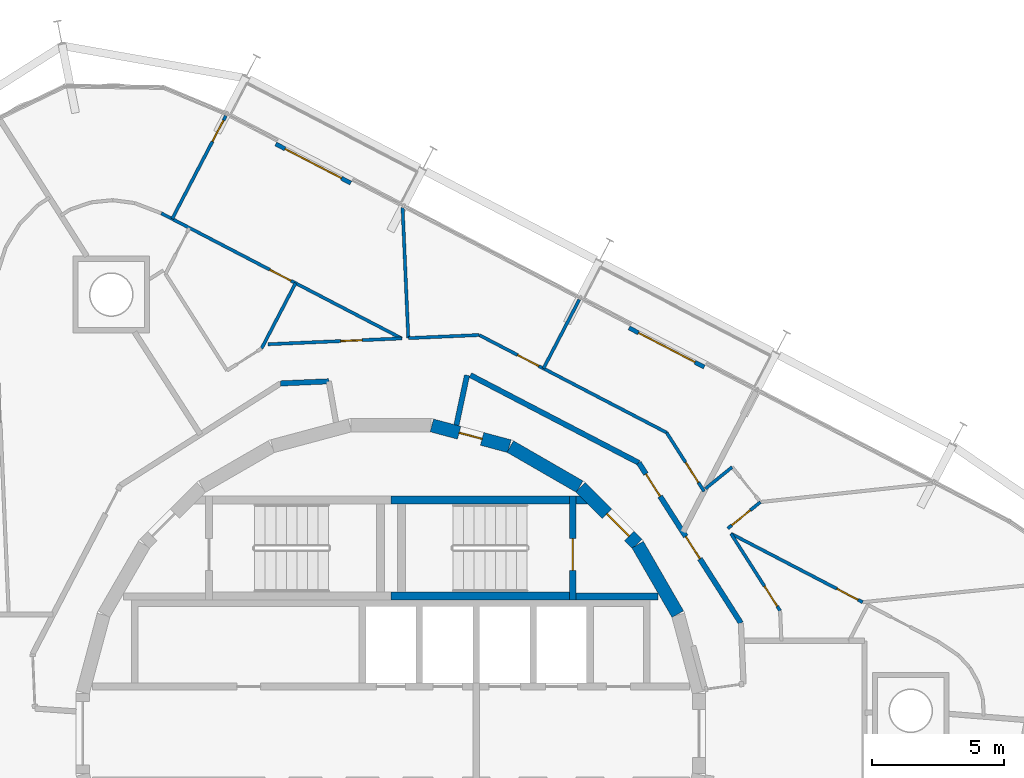
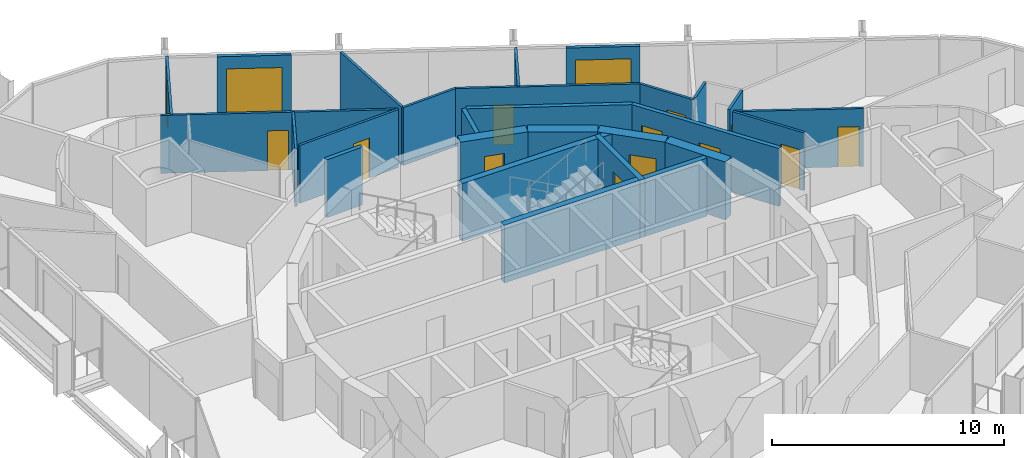
# One storey, part 16 of 18: 28 walls, 15 doors, 15 openings.
"""IFC4 building model written with IfcOpenShell, lengths in metres."""

from ifc_helpers import new_model, si_unit, direction, frame, frame_2d, origin, place, context, subcontext, project, spatial, polyline, rectangle, outline, extrude, material, layer, layer_set, type_object, element, fill, save


model = new_model("IFC4")

# Units and contexts
model_context = context("Model", 3, precision=1e-05, world=origin(), true_north=direction((0.0, 1.0)))
body_context = subcontext(model_context, "Body", "Model", "MODEL_VIEW")
ifc_project = project(units=[si_unit("LENGTHUNIT", "METRE"), si_unit("AREAUNIT", "SQUARE_METRE"), si_unit("VOLUMEUNIT", "CUBIC_METRE"), si_unit("PLANEANGLEUNIT", "RADIAN"), si_unit("MASSUNIT", "GRAM", prefix="KILO")], contexts=[model_context])

# Site, building, storey
site_placement = place(None, origin())
site = spatial("IfcSite", under=ifc_project, at=site_placement, CompositionType="ELEMENT")
building_placement = place(site_placement, origin())
building = spatial("IfcBuilding", under=site, at=building_placement, Name="Spindle Arch Residences", CompositionType="ELEMENT")
storey_placement = place(building_placement, frame((0.0, 0.0, 254.699951171875)))
storey = spatial("IfcBuildingStorey", under=building, at=storey_placement, Name="L65", CompositionType="ELEMENT", Elevation=254.699951171875)

# Wall
ifc_material_1 = material(Name="Concrete C50/60", Category="concrete")
ifc_layer_1 = layer(ifc_material_1, 0.5)
ifc_layer_set_1 = layer_set([ifc_layer_1], Name="Core outline wall 500")
wall_type_1 = type_object("IfcWallType", Name="Core outline wall 500", PredefinedType="SHEAR", material=ifc_layer_set_1)
wall_1_placement = place(storey_placement, frame((10.84521484375, 4.510498046875, 0.0), z_axis=(0.0, 0.0, 1.0), x_axis=(-0.500087131594, 0.865975092491, 0.0)))
element("IfcWall", 1, at=wall_1_placement, inside=storey, type_object=wall_type_1, Name="Core outline wall 8", PredefinedType="SHEAR", context=body_context, shape_type="SweptSolid", body=[
    extrude(rectangle(XDim=3.03271484375, YDim=0.5, at=frame_2d((1.516357421875, 0.0))), origin(), (0.0, 0.0, 1.0), 3.050048828125),
])

# Wall, opening, door
wall_2_placement = place(storey_placement, frame((9.30810546875, 7.163818359375, 0.0), z_axis=(0.0, 0.0, 1.0), x_axis=(-0.707106781187, 0.707106781187, 0.0)))
wall_2 = element("IfcWall", 2, at=wall_2_placement, inside=storey, type_object=wall_type_1, Name="Core outline wall 9", PredefinedType="SHEAR", context=body_context, shape_type="SweptSolid", body=[
    extrude(rectangle(XDim=3.032470703125, YDim=0.5, at=frame_2d((1.51611328125, 0.0))), origin(), (0.0, 0.0, 1.0), 3.050048828125),
])
opening_1_placement = place(wall_2_placement, frame((0.416259765625, 0.0, 0.0)))
opening_1 = element("IfcOpeningElement", 3, at=opening_1_placement, cuts=wall_2, Name="Opening R6C0-AD01", PredefinedType="OPENING", context=body_context, shape_type="SweptSolid", body=[
    extrude(rectangle(XDim=1.199951171875, YDim=2.10009765625, at=frame_2d((0.60009765625, 1.050048828125))), frame((0.0, 0.260009765625, 0.0), z_axis=(0.0, -1.0, 0.0), x_axis=(1.0, 0.0, 0.0)), (0.0, 0.0, 1.0), 0.52001953125),
])
ifc_material_2 = material(Name="Steel, fire-resisting door", Category="steel")
door_type_1 = type_object("IfcDoorType", Name="Stair airlock door 1200x2100", OperationType="SINGLE_SWING_LEFT", PredefinedType="DOOR", material=ifc_material_2)
door_1_placement = place(opening_1_placement, origin())
door_1 = element("IfcDoor", 4, at=door_1_placement, inside=storey, type_object=door_type_1, Name="Stair airlock door R6C0-AD01", OperationType="SINGLE_SWING_RIGHT", OverallHeight=2.10009765625, OverallWidth=1.199951171875, PredefinedType="DOOR", context=body_context, shape_type="SweptSolid", body=[
    extrude(rectangle(XDim=1.199951171875, YDim=2.10009765625, at=frame_2d((0.60009765625, 1.050048828125))), frame((0.0, 0.02490234375, 0.0), z_axis=(0.0, -1.0, 0.0), x_axis=(1.0, 0.0, 0.0)), (0.0, 0.0, 1.0), 0.050048828125),
])
fill(opening_1, door_1)

# Wall
wall_3_placement = place(storey_placement, frame((7.13671875, 9.32861328125, 0.0), z_axis=(0.0, 0.0, 1.0), x_axis=(-0.865975092491, 0.500087131594, 0.0)))
element("IfcWall", 5, at=wall_3_placement, inside=storey, type_object=wall_type_1, Name="Core outline wall 10", PredefinedType="SHEAR", context=body_context, shape_type="SweptSolid", body=[
    extrude(rectangle(XDim=3.03271484375, YDim=0.5, at=frame_2d((1.516357421875, 0.0))), origin(), (0.0, 0.0, 1.0), 3.050048828125),
])

# Wall, opening, door
wall_4_placement = place(storey_placement, frame((4.479248046875, 10.858154296875, 0.0), z_axis=(0.0, 0.0, 1.0), x_axis=(-0.965948410781, 0.258734743916, 0.0)))
wall_4 = element("IfcWall", 6, at=wall_4_placement, inside=storey, type_object=wall_type_1, Name="Core outline wall 11", PredefinedType="SHEAR", context=body_context, shape_type="SweptSolid", body=[
    extrude(rectangle(XDim=3.03271484375, YDim=0.5, at=frame_2d((1.516357421875, 0.0))), origin(), (0.0, 0.0, 1.0), 3.050048828125),
])
opening_2_placement = place(wall_4_placement, frame((1.066162109375, 0.0, 0.0)))
opening_2 = element("IfcOpeningElement", 7, at=opening_2_placement, cuts=wall_4, Name="Opening R6C0-WD11", PredefinedType="OPENING", context=body_context, shape_type="SweptSolid", body=[
    extrude(rectangle(XDim=0.89990234375, YDim=2.10009765625, at=frame_2d((0.449951171875, 1.050048828125))), frame((0.0, 0.260009765625, 0.0), z_axis=(0.0, -1.0, 0.0), x_axis=(1.0, 0.0, 0.0)), (0.0, 0.0, 1.0), 0.52001953125),
])
ifc_material_3 = material(Name="Steel, fire-resisting door", Category="steel")
door_type_2 = type_object("IfcDoorType", Name="Service room door 900x2100", OperationType="SINGLE_SWING_LEFT", PredefinedType="DOOR", material=ifc_material_3)
door_2_placement = place(opening_2_placement, origin())
door_2 = element("IfcDoor", 8, at=door_2_placement, inside=storey, type_object=door_type_2, Name="Service room door R6C0-WD11", OperationType="SINGLE_SWING_LEFT", OverallHeight=2.10009765625, OverallWidth=0.89990234375, PredefinedType="DOOR", context=body_context, shape_type="SweptSolid", body=[
    extrude(rectangle(XDim=0.89990234375, YDim=2.10009765625, at=frame_2d((0.449951171875, 1.050048828125))), frame((0.0, 0.02490234375, 0.0), z_axis=(0.0, -1.0, 0.0), x_axis=(1.0, 0.0, 0.0)), (0.0, 0.0, 1.0), 0.050048828125),
])
fill(opening_2, door_2)

# Wall, openings, doors
ifc_material_4 = material(Name="Calcium silicate block, plastered")
ifc_layer_2 = layer(ifc_material_4, 0.199951171875)
ifc_layer_set_2 = layer_set([ifc_layer_2], Name="Corridor wall 200")
wall_type_2 = type_object("IfcWallType", Name="Corridor wall 200", PredefinedType="STANDARD", material=ifc_layer_set_2)
wall_5_placement = place(storey_placement, frame((13.230712890625, 4.171630859375, 0.0), z_axis=(0.0, 0.0, 1.0), x_axis=(-0.537304397561, 0.843388394728, 0.0)))
wall_5 = element("IfcWall", 9, at=wall_5_placement, inside=storey, type_object=wall_type_2, Name="Corridor wall R6C0-W004", PredefinedType="STANDARD", context=body_context, shape_type="SweptSolid", body=[
    extrude(rectangle(XDim=7.180908203125, YDim=0.199951171875, at=frame_2d((3.59033203125, 0.0))), origin(), (0.0, 0.0, 1.0), 3.050048828125),
])
opening_3_placement = place(wall_5_placement, frame((2.881103515625, 0.0, 0.0)))
opening_3 = element("IfcOpeningElement", 10, at=opening_3_placement, cuts=wall_5, Name="Opening R6C0-FD01", PredefinedType="OPENING", context=body_context, shape_type="SweptSolid", body=[
    extrude(rectangle(XDim=1.0, YDim=2.10009765625, at=frame_2d((0.5, 1.050048828125))), frame((0.0, 0.10986328125, 0.0), z_axis=(0.0, -1.0, 0.0), x_axis=(1.0, 0.0, 0.0)), (0.0, 0.0, 1.0), 0.219970703125),
])
opening_4_placement = place(wall_5_placement, frame((5.68115234375, 0.0, 0.0)))
opening_4 = element("IfcOpeningElement", 11, at=opening_4_placement, cuts=wall_5, Name="Opening R6C0-FD02", PredefinedType="OPENING", context=body_context, shape_type="SweptSolid", body=[
    extrude(rectangle(XDim=1.0, YDim=2.10009765625, at=frame_2d((0.5, 1.050048828125))), frame((0.0, 0.10986328125, 0.0), z_axis=(0.0, -1.0, 0.0), x_axis=(1.0, 0.0, 0.0)), (0.0, 0.0, 1.0), 0.219970703125),
])
ifc_material_5 = material(Name="Timber, fire-resisting door set", Category="wood")
door_type_3 = type_object("IfcDoorType", Name="Flat entrance door 1000x2100", OperationType="NOTDEFINED", PredefinedType="DOOR", material=ifc_material_5)
door_3_placement = place(opening_3_placement, origin())
door_3 = element("IfcDoor", 12, at=door_3_placement, inside=storey, type_object=door_type_3, Name="Flat entrance door R6C0-FD01", OperationType="SINGLE_SWING_LEFT", OverallHeight=2.10009765625, OverallWidth=1.0, PredefinedType="DOOR", context=body_context, shape_type="SweptSolid", body=[
    extrude(rectangle(XDim=1.0, YDim=2.10009765625, at=frame_2d((0.5, 1.050048828125))), frame((0.0, 0.02490234375, 0.0), z_axis=(0.0, -1.0, 0.0), x_axis=(1.0, 0.0, 0.0)), (0.0, 0.0, 1.0), 0.050048828125),
])
fill(opening_3, door_3)
door_4_placement = place(opening_4_placement, origin())
door_4 = element("IfcDoor", 13, at=door_4_placement, inside=storey, type_object=door_type_3, Name="Flat entrance door R6C0-FD02", OperationType="SINGLE_SWING_LEFT", OverallHeight=2.10009765625, OverallWidth=1.0, PredefinedType="DOOR", context=body_context, shape_type="SweptSolid", body=[
    extrude(rectangle(XDim=1.0, YDim=2.10009765625, at=frame_2d((0.5, 1.050048828125))), frame((0.0, 0.02490234375, 0.0), z_axis=(0.0, -1.0, 0.0), x_axis=(1.0, 0.0, 0.0)), (0.0, 0.0, 1.0), 0.050048828125),
])
fill(opening_4, door_4)

# Walls
wall_6_placement = place(storey_placement, frame((9.372314453125, 10.22802734375, 0.0), z_axis=(0.0, 0.0, 1.0), x_axis=(-0.887005184532, 0.461759464021, 0.0)))
element("IfcWall", 14, at=wall_6_placement, inside=storey, type_object=wall_type_2, Name="Corridor wall R6C0-W005", PredefinedType="STANDARD", context=body_context, shape_type="SweptSolid", body=[
    extrude(rectangle(XDim=7.18115234375, YDim=0.199951171875, at=frame_2d((3.590576171875, 0.0))), origin(), (0.0, 0.0, 1.0), 3.050048828125),
])
wall_7_placement = place(storey_placement, frame((2.877685546875, 13.538330078125, 0.0), z_axis=(0.0, 0.0, 1.0), x_axis=(-0.207893604596, -0.978151444904, 0.0)))
element("IfcWall", 15, at=wall_7_placement, inside=storey, type_object=wall_type_2, Name="Corridor wall R6C0-W006", PredefinedType="STANDARD", context=body_context, shape_type="SweptSolid", body=[
    extrude(rectangle(XDim=1.927001953125, YDim=0.199951171875, at=frame_2d((0.96337890625, 0.0))), origin(), (0.0, 0.0, 1.0), 3.050048828125),
])
wall_8_placement = place(storey_placement, frame((-2.346923828125, 13.310302734375, 0.0), z_axis=(0.0, 0.0, 1.0), x_axis=(-0.999050095671, -0.043576442492, 0.0)))
element("IfcWall", 16, at=wall_8_placement, inside=storey, type_object=wall_type_2, Name="Corridor wall R6C0-W011", PredefinedType="STANDARD", context=body_context, shape_type="SweptSolid", body=[
    extrude(rectangle(XDim=1.826416015625, YDim=0.199951171875, at=frame_2d((0.9130859375, 0.0))), origin(), (0.0, 0.0, 1.0), 3.050048828125),
])

# Wall, opening, door
ifc_material_6 = material(Name="Plasterboard on steel studs", Category="steel")
ifc_layer_3 = layer(ifc_material_6, 0.1201171875)
ifc_layer_set_3 = layer_set([ifc_layer_3], Name="Flat partition 120")
wall_type_3 = type_object("IfcWallType", Name="Flat partition 120", PredefinedType="PARTITIONING", material=ifc_layer_set_3)
wall_9_placement = place(storey_placement, frame((14.711669921875, 4.638671875, 0.0), z_axis=(0.0, 0.0, 1.0), x_axis=(-0.537287126609, 0.843399397427, 0.0)))
wall_9 = element("IfcWall", 17, at=wall_9_placement, inside=storey, type_object=wall_type_3, Name="Flat partition R6C0-W043", PredefinedType="PARTITIONING", context=body_context, shape_type="SweptSolid", body=[
    extrude(rectangle(XDim=3.453369140625, YDim=0.1201171875, at=frame_2d((1.7265625, 0.0))), origin(), (0.0, 0.0, 1.0), 3.050048828125),
])
opening_5_placement = place(wall_9_placement, frame((0.199951171875, 0.0, 0.0)))
opening_5 = element("IfcOpeningElement", 18, at=opening_5_placement, cuts=wall_9, Name="Opening R6C0-ID01", PredefinedType="OPENING", context=body_context, shape_type="SweptSolid", body=[
    extrude(rectangle(XDim=0.89990234375, YDim=2.10009765625, at=frame_2d((0.449951171875, 1.050048828125))), frame((0.0, 0.070068359375, 0.0), z_axis=(0.0, -1.0, 0.0), x_axis=(1.0, 0.0, 0.0)), (0.0, 0.0, 1.0), 0.14013671875),
])
ifc_material_7 = material(Name="Timber door set", Category="wood")
door_type_4 = type_object("IfcDoorType", Name="Room door 900x2100", OperationType="NOTDEFINED", PredefinedType="DOOR", material=ifc_material_7)
door_5_placement = place(opening_5_placement, origin())
door_5 = element("IfcDoor", 19, at=door_5_placement, inside=storey, type_object=door_type_4, Name="Room door R6C0-ID01", OperationType="SINGLE_SWING_LEFT", OverallHeight=2.10009765625, OverallWidth=0.89990234375, PredefinedType="DOOR", context=body_context, shape_type="SweptSolid", body=[
    extrude(rectangle(XDim=0.89990234375, YDim=2.10009765625, at=frame_2d((0.449951171875, 1.050048828125))), frame((0.0, 0.02490234375, 0.0), z_axis=(0.0, -1.0, 0.0), x_axis=(1.0, 0.0, 0.0)), (0.0, 0.0, 1.0), 0.050048828125),
])
fill(opening_5, door_5)

wall_10_placement = place(storey_placement, frame((12.73193359375, 7.74609375, 0.0), z_axis=(0.0, 0.0, 1.0), x_axis=(0.777187694298, 0.62926885179, 0.0)))
wall_10 = element("IfcWall", 20, at=wall_10_placement, inside=storey, type_object=wall_type_3, Name="Flat partition R6C0-W044", PredefinedType="PARTITIONING", context=body_context, shape_type="SweptSolid", body=[
    extrude(rectangle(XDim=1.591064453125, YDim=0.1201171875, at=frame_2d((0.79541015625, 0.0))), origin(), (0.0, 0.0, 1.0), 3.050048828125),
])
opening_6_placement = place(wall_10_placement, frame((0.199951171875, 0.0, 0.0)))
opening_6 = element("IfcOpeningElement", 21, at=opening_6_placement, cuts=wall_10, Name="Opening R6C0-ID02", PredefinedType="OPENING", context=body_context, shape_type="SweptSolid", body=[
    extrude(rectangle(XDim=0.89990234375, YDim=2.10009765625, at=frame_2d((0.449951171875, 1.050048828125))), frame((0.0, 0.070068359375, 0.0), z_axis=(0.0, -1.0, 0.0), x_axis=(1.0, 0.0, 0.0)), (0.0, 0.0, 1.0), 0.14013671875),
])
door_6_placement = place(opening_6_placement, origin())
door_6 = element("IfcDoor", 22, at=door_6_placement, inside=storey, type_object=door_type_4, Name="Room door R6C0-ID02", OperationType="SINGLE_SWING_RIGHT", OverallHeight=2.10009765625, OverallWidth=0.89990234375, PredefinedType="DOOR", context=body_context, shape_type="SweptSolid", body=[
    extrude(rectangle(XDim=0.89990234375, YDim=2.10009765625, at=frame_2d((0.449951171875, 1.050048828125))), frame((0.0, 0.02490234375, 0.0), z_axis=(0.0, -1.0, 0.0), x_axis=(1.0, 0.0, 0.0)), (0.0, 0.0, 1.0), 0.050048828125),
])
fill(opening_6, door_6)

# Wall
wall_11_placement = place(storey_placement, frame((12.8984375, 10.068603515625, 0.0), z_axis=(0.0, 0.0, 1.0), x_axis=(-0.777069405334, -0.629414918232, 0.0)))
element("IfcWall", 23, at=wall_11_placement, inside=storey, type_object=wall_type_3, Name="Flat partition R6C0-W046", PredefinedType="PARTITIONING", context=body_context, shape_type="SweptSolid", body=[
    extrude(rectangle(XDim=1.29638671875, YDim=0.1201171875, at=frame_2d((0.648193359375, 0.0))), origin(), (0.0, 0.0, 1.0), 3.050048828125),
])

# Wall, opening, door
wall_12_placement = place(storey_placement, frame((17.83447265625, 4.959716796875, 0.0), z_axis=(0.0, 0.0, 1.0), x_axis=(-0.887008743782, 0.461752626906, 0.0)))
wall_12 = element("IfcWall", 24, at=wall_12_placement, inside=storey, type_object=wall_type_3, Name="Flat partition R6C0-W055", PredefinedType="PARTITIONING", context=body_context, shape_type="SweptSolid", body=[
    extrude(rectangle(XDim=5.6123046875, YDim=0.1201171875, at=frame_2d((2.80615234375, 0.0))), origin(), (0.0, 0.0, 1.0), 3.050048828125),
])
opening_7_placement = place(wall_12_placement, frame((0.199951171875, 0.0, 0.0)))
opening_7 = element("IfcOpeningElement", 25, at=opening_7_placement, cuts=wall_12, Name="Opening R6C0-ID05", PredefinedType="OPENING", context=body_context, shape_type="SweptSolid", body=[
    extrude(rectangle(XDim=0.89990234375, YDim=2.10009765625, at=frame_2d((0.449951171875, 1.050048828125))), frame((0.0, 0.070068359375, 0.0), z_axis=(0.0, -1.0, 0.0), x_axis=(1.0, 0.0, 0.0)), (0.0, 0.0, 1.0), 0.14013671875),
])
door_7_placement = place(opening_7_placement, origin())
door_7 = element("IfcDoor", 26, at=door_7_placement, inside=storey, type_object=door_type_4, Name="Room door R6C0-ID05", OperationType="SINGLE_SWING_RIGHT", OverallHeight=2.10009765625, OverallWidth=0.89990234375, PredefinedType="DOOR", context=body_context, shape_type="SweptSolid", body=[
    extrude(rectangle(XDim=0.89990234375, YDim=2.10009765625, at=frame_2d((0.449951171875, 1.050048828125))), frame((0.0, 0.02490234375, 0.0), z_axis=(0.0, -1.0, 0.0), x_axis=(1.0, 0.0, 0.0)), (0.0, 0.0, 1.0), 0.050048828125),
])
fill(opening_7, door_7)

wall_13_placement = place(storey_placement, frame((11.837646484375, 9.14990234375, 0.0), z_axis=(0.0, 0.0, 1.0), x_axis=(-0.537288949014, 0.843398236462, 0.0)))
wall_13 = element("IfcWall", 27, at=wall_13_placement, inside=storey, type_object=wall_type_3, Name="Flat partition R6C0-W057", PredefinedType="PARTITIONING", context=body_context, shape_type="SweptSolid", body=[
    extrude(rectangle(XDim=2.635986328125, YDim=0.1201171875, at=frame_2d((1.31787109375, 0.0))), origin(), (0.0, 0.0, 1.0), 3.050048828125),
])
opening_8_placement = place(wall_13_placement, frame((0.39990234375, 0.0, 0.0)))
opening_8 = element("IfcOpeningElement", 28, at=opening_8_placement, cuts=wall_13, Name="Opening R6C0-ID06", PredefinedType="OPENING", context=body_context, shape_type="SweptSolid", body=[
    extrude(rectangle(XDim=0.89990234375, YDim=2.10009765625, at=frame_2d((0.449951171875, 1.050048828125))), frame((0.0, 0.070068359375, 0.0), z_axis=(0.0, -1.0, 0.0), x_axis=(1.0, 0.0, 0.0)), (0.0, 0.0, 1.0), 0.14013671875),
])
door_8_placement = place(opening_8_placement, origin())
door_8 = element("IfcDoor", 29, at=door_8_placement, inside=storey, type_object=door_type_4, Name="Room door R6C0-ID06", OperationType="SINGLE_SWING_LEFT", OverallHeight=2.10009765625, OverallWidth=0.89990234375, PredefinedType="DOOR", context=body_context, shape_type="SweptSolid", body=[
    extrude(rectangle(XDim=0.89990234375, YDim=2.10009765625, at=frame_2d((0.449951171875, 1.050048828125))), frame((0.0, 0.02490234375, 0.0), z_axis=(0.0, -1.0, 0.0), x_axis=(1.0, 0.0, 0.0)), (0.0, 0.0, 1.0), 0.050048828125),
])
fill(opening_8, door_8)

wall_14_placement = place(storey_placement, frame((10.42138671875, 11.373046875, 0.0), z_axis=(0.0, 0.0, 1.0), x_axis=(-0.887012970857, 0.461744506769, 0.0)))
wall_14 = element("IfcWall", 30, at=wall_14_placement, inside=storey, type_object=wall_type_3, Name="Flat partition R6C0-W058", PredefinedType="PARTITIONING", context=body_context, shape_type="SweptSolid", body=[
    extrude(rectangle(XDim=7.98486328125, YDim=0.1201171875, at=frame_2d((3.992431640625, 0.0))), origin(), (0.0, 0.0, 1.0), 3.050048828125),
])
opening_9_placement = place(wall_14_placement, frame((5.447509765625, 0.0, 0.0)))
opening_9 = element("IfcOpeningElement", 31, at=opening_9_placement, cuts=wall_14, Name="Opening R6C0-ID07", PredefinedType="OPENING", context=body_context, shape_type="SweptSolid", body=[
    extrude(rectangle(XDim=0.89990234375, YDim=2.10009765625, at=frame_2d((0.449951171875, 1.050048828125))), frame((0.0, 0.070068359375, 0.0), z_axis=(0.0, -1.0, 0.0), x_axis=(1.0, 0.0, 0.0)), (0.0, 0.0, 1.0), 0.14013671875),
])
door_9_placement = place(opening_9_placement, origin())
door_9 = element("IfcDoor", 32, at=door_9_placement, inside=storey, type_object=door_type_4, Name="Room door R6C0-ID07", OperationType="SINGLE_SWING_RIGHT", OverallHeight=2.10009765625, OverallWidth=0.89990234375, PredefinedType="DOOR", context=body_context, shape_type="SweptSolid", body=[
    extrude(rectangle(XDim=0.89990234375, YDim=2.10009765625, at=frame_2d((0.449951171875, 1.050048828125))), frame((0.0, 0.02490234375, 0.0), z_axis=(0.0, -1.0, 0.0), x_axis=(1.0, 0.0, 0.0)), (0.0, 0.0, 1.0), 0.050048828125),
])
fill(opening_9, door_9)

# Wall
wall_15_placement = place(storey_placement, frame((3.338623046875, 15.06005859375, 0.0), z_axis=(0.0, 0.0, 1.0), x_axis=(-0.999045829762, -0.043674134634, 0.0)))
element("IfcWall", 33, at=wall_15_placement, inside=storey, type_object=wall_type_3, Name="Flat partition R6C0-W059", PredefinedType="PARTITIONING", context=body_context, shape_type="SweptSolid", body=[
    extrude(rectangle(XDim=2.68310546875, YDim=0.1201171875, at=frame_2d((1.341552734375, 0.0))), origin(), (0.0, 0.0, 1.0), 3.050048828125),
])

# Wall, opening, door
wall_16_placement = place(storey_placement, frame((0.41015625, 14.93212890625, 0.0), z_axis=(0.0, 0.0, 1.0), x_axis=(-0.99904802852, -0.043623808982, 0.0)))
wall_16 = element("IfcWall", 34, at=wall_16_placement, inside=storey, type_object=wall_type_3, Name="Flat partition R6C0-W060", PredefinedType="PARTITIONING", context=body_context, shape_type="SweptSolid", body=[
    extrude(rectangle(XDim=5.0537109375, YDim=0.1201171875, at=frame_2d((2.52685546875, 0.0))), origin(), (0.0, 0.0, 1.0), 3.050048828125),
])
opening_10_placement = place(wall_16_placement, frame((1.5, 0.0, 0.0)))
opening_10 = element("IfcOpeningElement", 35, at=opening_10_placement, cuts=wall_16, Name="Opening R6C0-BD02", PredefinedType="OPENING", context=body_context, shape_type="SweptSolid", body=[
    extrude(rectangle(XDim=0.800048828125, YDim=2.10009765625, at=frame_2d((0.39990234375, 1.050048828125))), frame((0.0, 0.070068359375, 0.0), z_axis=(0.0, -1.0, 0.0), x_axis=(1.0, 0.0, 0.0)), (0.0, 0.0, 1.0), 0.14013671875),
])
ifc_material_8 = material(Name="Timber door set", Category="wood")
door_type_5 = type_object("IfcDoorType", Name="Bathroom door 800x2100", OperationType="NOTDEFINED", PredefinedType="DOOR", material=ifc_material_8)
door_10_placement = place(opening_10_placement, origin())
door_10 = element("IfcDoor", 36, at=door_10_placement, inside=storey, type_object=door_type_5, Name="Bathroom door R6C0-BD02", OperationType="SINGLE_SWING_RIGHT", OverallHeight=2.10009765625, OverallWidth=0.800048828125, PredefinedType="DOOR", context=body_context, shape_type="SweptSolid", body=[
    extrude(rectangle(XDim=0.800048828125, YDim=2.10009765625, at=frame_2d((0.39990234375, 1.050048828125))), frame((0.0, 0.02490234375, 0.0), z_axis=(0.0, -1.0, 0.0), x_axis=(1.0, 0.0, 0.0)), (0.0, 0.0, 1.0), 0.050048828125),
])
fill(opening_10, door_10)

# Walls
wall_17_placement = place(storey_placement, frame((7.121826171875, 16.398681640625, 0.0), z_axis=(0.0, 0.0, 1.0), x_axis=(-0.461763975246, -0.887002836053, 0.0)))
element("IfcWall", 37, at=wall_17_placement, inside=storey, type_object=wall_type_3, Name="Flat partition R6C0-W064", PredefinedType="PARTITIONING", context=body_context, shape_type="SweptSolid", body=[
    extrude(rectangle(XDim=2.934326171875, YDim=0.1201171875, at=frame_2d((1.46728515625, 0.0))), origin(), (0.0, 0.0, 1.0), 3.050048828125),
])
wall_18_placement = place(storey_placement, frame((0.4423828125, 19.875732421875, 0.0), z_axis=(0.0, 0.0, 1.0), x_axis=(0.04366038102, -0.999046430918, 0.0)))
element("IfcWall", 38, at=wall_18_placement, inside=storey, type_object=wall_type_3, Name="Flat partition R6C0-W065", PredefinedType="PARTITIONING", context=body_context, shape_type="SweptSolid", body=[
    extrude(rectangle(XDim=4.9375, YDim=0.1201171875, at=frame_2d((2.46875, 0.0))), origin(), (0.0, 0.0, 1.0), 3.050048828125),
])

# Wall, opening, door
wall_19_placement = place(storey_placement, frame((0.41015625, 14.93212890625, 0.0), z_axis=(0.0, 0.0, 1.0), x_axis=(-0.887012293034, 0.461745808867, 0.0)))
wall_19 = element("IfcWall", 39, at=wall_19_placement, inside=storey, type_object=wall_type_3, Name="Flat partition R6C0-W066", PredefinedType="PARTITIONING", context=body_context, shape_type="SweptSolid", body=[
    extrude(rectangle(XDim=10.246337890625, YDim=0.1201171875, at=frame_2d((5.123046875, 0.0))), origin(), (0.0, 0.0, 1.0), 3.050048828125),
])
opening_11_placement = place(wall_19_placement, frame((4.724609375, 0.0, 0.0)))
opening_11 = element("IfcOpeningElement", 40, at=opening_11_placement, cuts=wall_19, Name="Opening R6C0-ID09", PredefinedType="OPENING", context=body_context, shape_type="SweptSolid", body=[
    extrude(rectangle(XDim=0.89990234375, YDim=2.10009765625, at=frame_2d((0.449951171875, 1.050048828125))), frame((0.0, 0.070068359375, 0.0), z_axis=(0.0, -1.0, 0.0), x_axis=(1.0, 0.0, 0.0)), (0.0, 0.0, 1.0), 0.14013671875),
])
door_11_placement = place(opening_11_placement, origin())
door_11 = element("IfcDoor", 41, at=door_11_placement, inside=storey, type_object=door_type_4, Name="Room door R6C0-ID09", OperationType="SINGLE_SWING_RIGHT", OverallHeight=2.10009765625, OverallWidth=0.89990234375, PredefinedType="DOOR", context=body_context, shape_type="SweptSolid", body=[
    extrude(rectangle(XDim=0.89990234375, YDim=2.10009765625, at=frame_2d((0.449951171875, 1.050048828125))), frame((0.0, 0.02490234375, 0.0), z_axis=(0.0, -1.0, 0.0), x_axis=(1.0, 0.0, 0.0)), (0.0, 0.0, 1.0), 0.050048828125),
])
fill(opening_11, door_11)

# Wall
wall_20_placement = place(storey_placement, frame((-3.60302734375, 17.021240234375, 0.0), z_axis=(0.0, 0.0, 1.0), x_axis=(-0.46178633653, -0.886991194654, 0.0)))
element("IfcWall", 42, at=wall_20_placement, inside=storey, type_object=wall_type_3, Name="Flat partition R6C0-W067", PredefinedType="PARTITIONING", context=body_context, shape_type="SweptSolid", body=[
    extrude(rectangle(XDim=2.782958984375, YDim=0.1201171875, at=frame_2d((1.3916015625, 0.0))), origin(), (0.0, 0.0, 1.0), 3.050048828125),
])

# Wall, opening, door
wall_21_placement = place(storey_placement, frame((-6.23681640625, 23.352783203125, 0.0), z_axis=(0.0, 0.0, 1.0), x_axis=(-0.461714347673, -0.88702866986, 0.0)))
wall_21 = element("IfcWall", 43, at=wall_21_placement, inside=storey, type_object=wall_type_3, Name="Flat partition R6C0-W068", PredefinedType="PARTITIONING", context=body_context, shape_type="SweptSolid", body=[
    extrude(rectangle(XDim=4.39990234375, YDim=0.1201171875, at=frame_2d((2.199951171875, 0.0))), origin(), (0.0, 0.0, 1.0), 3.050048828125),
])
opening_12_placement = place(wall_21_placement, frame((0.199951171875, 0.0, 0.0)))
opening_12 = element("IfcOpeningElement", 44, at=opening_12_placement, cuts=wall_21, Name="Opening R6C0-ID10", PredefinedType="OPENING", context=body_context, shape_type="SweptSolid", body=[
    extrude(rectangle(XDim=0.89990234375, YDim=2.10009765625, at=frame_2d((0.449951171875, 1.050048828125))), frame((0.0, 0.070068359375, 0.0), z_axis=(0.0, -1.0, 0.0), x_axis=(1.0, 0.0, 0.0)), (0.0, 0.0, 1.0), 0.14013671875),
])
door_12_placement = place(opening_12_placement, origin())
door_12 = element("IfcDoor", 45, at=door_12_placement, inside=storey, type_object=door_type_4, Name="Room door R6C0-ID10", OperationType="SINGLE_SWING_RIGHT", OverallHeight=2.10009765625, OverallWidth=0.89990234375, PredefinedType="DOOR", context=body_context, shape_type="SweptSolid", body=[
    extrude(rectangle(XDim=0.89990234375, YDim=2.10009765625, at=frame_2d((0.449951171875, 1.050048828125))), frame((0.0, 0.02490234375, 0.0), z_axis=(0.0, -1.0, 0.0), x_axis=(1.0, 0.0, 0.0)), (0.0, 0.0, 1.0), 0.050048828125),
])
fill(opening_12, door_12)

ifc_material_9 = material(Name="Non-combustible mineral wool insulated aluminium faced external wall (K0)", Category="aluminium")
ifc_layer_4 = layer(ifc_material_9, 0.159912109375)
ifc_layer_set_4 = layer_set([ifc_layer_4], Name="Insulated external wall panel 160")
wall_type_4 = type_object("IfcWallType", Name="Insulated external wall panel 160", PredefinedType="STANDARD", material=ifc_layer_set_4)
wall_22_placement = place(storey_placement, frame((11.84375, 13.8505859375, 0.0), z_axis=(0.0, 0.0, 1.0), x_axis=(-0.887014349583, 0.461741858221, 0.0)))
wall_22 = element("IfcWall", 46, at=wall_22_placement, inside=storey, type_object=wall_type_4, Name="External wall L65 bay 7", PredefinedType="STANDARD", context=body_context, shape_type="SweptSolid", body=[
    extrude(rectangle(XDim=3.199951171875, YDim=0.159912109375, at=frame_2d((1.60009765625, 0.0))), origin(), (0.0, 0.0, 1.0), 3.050048828125),
])
opening_13_placement = place(wall_22_placement, frame((0.39990234375, 0.0, 0.0)))
opening_13 = element("IfcOpeningElement", 47, at=opening_13_placement, cuts=wall_22, Name="Opening BD07", PredefinedType="OPENING", context=body_context, shape_type="SweptSolid", body=[
    extrude(rectangle(XDim=2.39990234375, YDim=2.39990234375, at=frame_2d((1.199951171875, 1.199951171875))), frame((0.0, 0.08984375, 0.0), z_axis=(0.0, -1.0, 0.0), x_axis=(1.0, 0.0, 0.0)), (0.0, 0.0, 1.0), 0.179931640625),
])
ifc_material_10 = material(Name="Bronze aluminium frame, tinted double glazing", Category="aluminium")
door_type_6 = type_object("IfcDoorType", Name="Sliding glazed balcony door 2400x2400", OperationType="DOUBLE_DOOR_SLIDING", PredefinedType="DOOR", material=ifc_material_10)
door_13_placement = place(opening_13_placement, origin())
door_13 = element("IfcDoor", 48, at=door_13_placement, inside=storey, type_object=door_type_6, Name="Balcony door BD07", OperationType="DOUBLE_DOOR_SLIDING", OverallHeight=2.39990234375, OverallWidth=2.39990234375, PredefinedType="DOOR", context=body_context, shape_type="SweptSolid", body=[
    extrude(rectangle(XDim=2.39990234375, YDim=2.39990234375, at=frame_2d((1.199951171875, 1.199951171875))), frame((0.0, 0.02490234375, 0.0), z_axis=(0.0, -1.0, 0.0), x_axis=(1.0, 0.0, 0.0)), (0.0, 0.0, 1.0), 0.050048828125),
])
fill(opening_13, door_13)

wall_23_placement = place(storey_placement, frame((-1.514892578125, 20.804443359375, 0.0), z_axis=(0.0, 0.0, 1.0), x_axis=(-0.887014349583, 0.461741858221, 0.0)))
wall_23 = element("IfcWall", 49, at=wall_23_placement, inside=storey, type_object=wall_type_4, Name="External wall L65 bay 9", PredefinedType="STANDARD", context=body_context, shape_type="SweptSolid", body=[
    extrude(rectangle(XDim=3.199951171875, YDim=0.159912109375, at=frame_2d((1.60009765625, 0.0))), origin(), (0.0, 0.0, 1.0), 3.050048828125),
])
opening_14_placement = place(wall_23_placement, frame((0.39990234375, 0.0, 0.0)))
opening_14 = element("IfcOpeningElement", 50, at=opening_14_placement, cuts=wall_23, Name="Opening BD09", PredefinedType="OPENING", context=body_context, shape_type="SweptSolid", body=[
    extrude(rectangle(XDim=2.39990234375, YDim=2.39990234375, at=frame_2d((1.199951171875, 1.199951171875))), frame((0.0, 0.08984375, 0.0), z_axis=(0.0, -1.0, 0.0), x_axis=(1.0, 0.0, 0.0)), (0.0, 0.0, 1.0), 0.179931640625),
])
door_14_placement = place(opening_14_placement, origin())
door_14 = element("IfcDoor", 51, at=door_14_placement, inside=storey, type_object=door_type_6, Name="Balcony door BD09", OperationType="DOUBLE_DOOR_SLIDING", OverallHeight=2.39990234375, OverallWidth=2.39990234375, PredefinedType="DOOR", context=body_context, shape_type="SweptSolid", body=[
    extrude(rectangle(XDim=2.39990234375, YDim=2.39990234375, at=frame_2d((1.199951171875, 1.199951171875))), frame((0.0, 0.02490234375, 0.0), z_axis=(0.0, -1.0, 0.0), x_axis=(1.0, 0.0, 0.0)), (0.0, 0.0, 1.0), 0.050048828125),
])
fill(opening_14, door_14)

# Walls
ifc_material_11 = material(Name="Concrete C40/50", Category="concrete")
ifc_layer_5 = layer(ifc_material_11, 0.25)
ifc_layer_set_5 = layer_set([ifc_layer_5], Name="Stair airlock wall 250")
wall_type_5 = type_object("IfcWallType", Name="Stair airlock wall 250", PredefinedType="SHEAR", material=ifc_layer_set_5)
wall_24_placement = place(storey_placement, frame((7.0, 5.175048828125, 0.0), z_axis=(0.0, 0.0, 1.0), x_axis=(1.0, 0.0, 0.0)))
element("IfcWall", 52, at=wall_24_placement, inside=storey, type_object=wall_type_5, Name="Stair ST-1 airlock wall S", PredefinedType="SHEAR", context=body_context, shape_type="SweptSolid", body=[
    extrude(rectangle(XDim=3.10009765625, YDim=0.25, at=frame_2d((1.550048828125, 0.0))), origin(), (0.0, 0.0, 1.0), 3.050048828125),
])
ifc_material_12 = material(Name="Concrete C40/50", Category="concrete")
wall_type_6 = type_object("IfcWallType", Name="Stair airlock wall profile", PredefinedType="SHEAR", material=ifc_material_12)
wall_25_placement = place(storey_placement, origin())
element("IfcWall", 53, at=wall_25_placement, inside=storey, type_object=wall_type_6, Name="Stair ST-1 airlock wall N", PredefinedType="SHEAR", context=body_context, shape_type="SweptSolid", body=[
    extrude(outline(polyline([(7.4482421875, 8.669921875), (7.0, 8.669921875), (7.0, 8.969970703125), (7.148193359375, 8.969970703125), (7.4482421875, 8.669921875)])), origin(), (0.0, 0.0, 1.0), 3.050048828125),
])

# Wall, opening, door
ifc_material_13 = material(Name="Concrete C50/60", Category="concrete")
ifc_layer_6 = layer(ifc_material_13, 0.25)
ifc_layer_set_6 = layer_set([ifc_layer_6], Name="Stair enclosure wall 250")
wall_type_7 = type_object("IfcWallType", Name="Stair enclosure wall 250", PredefinedType="SHEAR", material=ifc_layer_set_6)
wall_26_placement = place(storey_placement, frame((6.875, 5.050048828125, 0.0), z_axis=(0.0, 0.0, 1.0), x_axis=(0.0, 1.0, 0.0)))
wall_26 = element("IfcWall", 54, at=wall_26_placement, inside=storey, type_object=wall_type_7, Name="Stair ST-1 door wall", PredefinedType="SHEAR", context=body_context, shape_type="SweptSolid", body=[
    extrude(rectangle(XDim=3.919921875, YDim=0.25, at=frame_2d((1.9599609375, 0.0))), origin(), (0.0, 0.0, 1.0), 3.050048828125),
])
opening_15_placement = place(wall_26_placement, frame((1.110107421875, 0.0, 0.0)))
opening_15 = element("IfcOpeningElement", 55, at=opening_15_placement, cuts=wall_26, Name="Opening R6C0-SD01", PredefinedType="OPENING", context=body_context, shape_type="SweptSolid", body=[
    extrude(rectangle(XDim=1.199951171875, YDim=2.10009765625, at=frame_2d((0.60009765625, 1.050048828125))), frame((0.0, 0.135009765625, 0.0), z_axis=(0.0, -1.0, 0.0), x_axis=(1.0, 0.0, 0.0)), (0.0, 0.0, 1.0), 0.27001953125),
])
ifc_material_14 = material(Name="Steel, fire-resisting door", Category="steel")
door_type_7 = type_object("IfcDoorType", Name="Stair door 1200x2100", OperationType="SINGLE_SWING_RIGHT", PredefinedType="DOOR", material=ifc_material_14)
door_15_placement = place(opening_15_placement, origin())
door_15 = element("IfcDoor", 56, at=door_15_placement, inside=storey, type_object=door_type_7, Name="Stair door R6C0-SD01", OperationType="SINGLE_SWING_LEFT", OverallHeight=2.10009765625, OverallWidth=1.199951171875, PredefinedType="DOOR", context=body_context, shape_type="SweptSolid", body=[
    extrude(rectangle(XDim=1.199951171875, YDim=2.10009765625, at=frame_2d((0.60009765625, 1.050048828125))), frame((0.0, 0.02490234375, 0.0), z_axis=(0.0, -1.0, 0.0), x_axis=(1.0, 0.0, 0.0)), (0.0, 0.0, 1.0), 0.050048828125),
])
fill(opening_15, door_15)

# Walls
ifc_material_15 = material(Name="Concrete C50/60", Category="concrete")
ifc_layer_7 = layer(ifc_material_15, 0.300048828125)
ifc_layer_set_7 = layer_set([ifc_layer_7], Name="Stair enclosure wall 300")
wall_type_8 = type_object("IfcWallType", Name="Stair enclosure wall 300", PredefinedType="SHEAR", material=ifc_layer_set_7)
for number, where, z_axis, x_axis, name in (
    (57, (0.0, 5.199951171875, 0.0), (0.0, 0.0, 1.0), (1.0, 0.0, 0.0), "Stair ST-1 enclosure wall S"),
    (58, (0.0, 8.820068359375, 0.0), (0.0, 0.0, 1.0), (1.0, 0.0, 0.0), "Stair ST-1 enclosure wall N"),
):
    element("IfcWall", number, at=place(storey_placement, frame(where, z_axis=z_axis, x_axis=x_axis)), inside=storey, type_object=wall_type_8, Name=name, PredefinedType="SHEAR", context=body_context, shape_type="SweptSolid", body=[
        extrude(rectangle(XDim=6.75, YDim=0.300048828125, at=frame_2d((3.375, 0.0))), origin(), (0.0, 0.0, 1.0), 3.050048828125),
    ])

save(model, "model.ifc")
